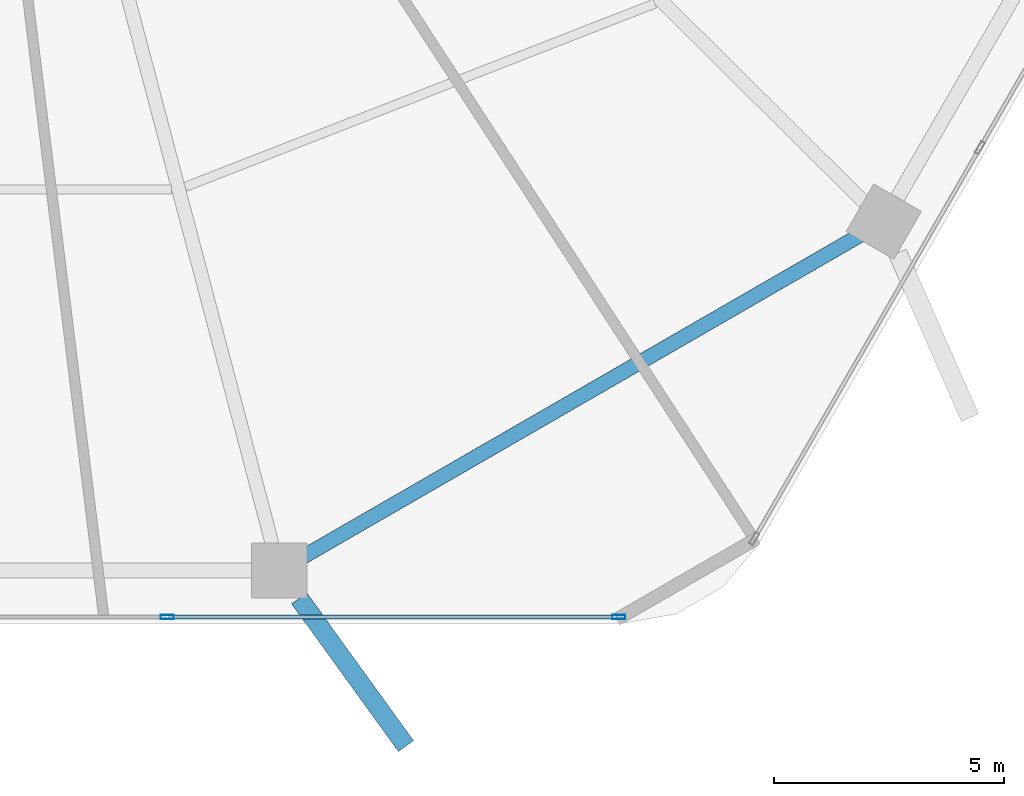
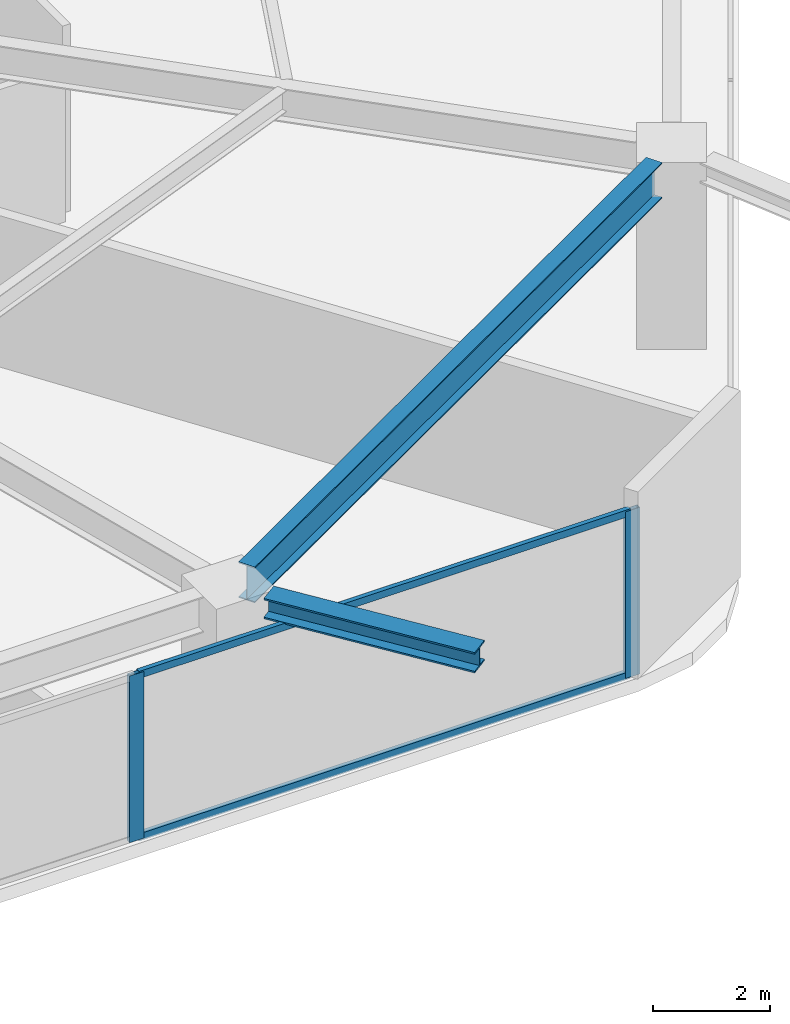
# One storey, part 7 of 25: 4 members, 2 beams, 1 element without a shape of its own.
"""IFC4 building model written with IfcOpenShell, lengths in metres."""

from ifc_helpers import new_model, si_unit, direction, frame, origin, origin_2d, place, context, subcontext, project, spatial, hollow_rectangle, i_section, extrude, material, material_profile, profile_set, type_object, element, aggregate, save


model = new_model("IFC4")

# Units and contexts
model_context = context("Model", 3, precision=1e-05, world=origin(), true_north=direction((0.0, 1.0)))
body_context = subcontext(model_context, "Body", "Model", "MODEL_VIEW")
ifc_project = project(units=[si_unit("LENGTHUNIT", "METRE"), si_unit("AREAUNIT", "SQUARE_METRE"), si_unit("VOLUMEUNIT", "CUBIC_METRE"), si_unit("PLANEANGLEUNIT", "RADIAN"), si_unit("MASSUNIT", "GRAM", prefix="KILO")], contexts=[model_context])

# Site, building, storey
site_placement = place(None, origin())
site = spatial("IfcSite", under=ifc_project, at=site_placement, CompositionType="ELEMENT")
building_placement = place(site_placement, origin())
building = spatial("IfcBuilding", under=site, at=building_placement, Name="Zuhravey Tower", CompositionType="ELEMENT")
storey_placement = place(building_placement, frame((0.0, 0.0, 20.39990234375)))
storey = spatial("IfcBuildingStorey", under=building, at=storey_placement, Name="L05", CompositionType="ELEMENT", Elevation=20.39990234375)

# Curtain wall, members
ifc_material_1 = material(Name="Thermally broken anodised aluminium", Category="aluminium")
curtain_wall_type = type_object("IfcCurtainWallType", Name="School Low-E Unitised Curtain Wall CW1", PredefinedType="NOTDEFINED", material=ifc_material_1)
curtain_wall_placement = place(storey_placement, origin())
curtain_wall = element("IfcCurtainWall", 1, at=curtain_wall_placement, inside=storey, type_object=curtain_wall_type, Name="L05 CW1 CW-L05-F5-1", PredefinedType="NOTDEFINED")
ifc_material_2 = material(Name="Anodised aluminium", Category="aluminium")
ifc_material_profile_1 = material_profile(ifc_material_2, hollow_rectangle(XDim=0.090087890625, YDim=0.284912109375, WallThickness=0.0048828125, at=origin_2d()), Name="ALU-RHS-90x285x5")
ifc_profile_set_1 = profile_set([ifc_material_profile_1], Name="Anodised aluminium")
member_type_1 = type_object("IfcMemberType", Name="Curtain-Wall Mullion 90x180", PredefinedType="MULLION", material=ifc_profile_set_1)
member_1_placement = place(storey_placement, frame((50.75439453125, 3.04150390625, 0.0), z_axis=(0.0, 0.0, 1.0), x_axis=(0.0, -1.0, 0.0)))
member_1 = element("IfcMember", 2, at=member_1_placement, type_object=member_type_1, Name="CW1 mullion 1", PredefinedType="MULLION", context=body_context, shape_type="SweptSolid", body=[
    extrude(hollow_rectangle(XDim=0.090087890625, YDim=0.284912109375, WallThickness=0.0048828125, at=origin_2d()), origin(), (0.0, 0.0, 1.0), 3.4921875),
])
member_2_placement = place(storey_placement, frame((40.93310546875, 3.04150390625, 0.0), z_axis=(0.0, 0.0, 1.0), x_axis=(0.0, -1.0, 0.0)))
member_2 = element("IfcMember", 3, at=member_2_placement, type_object=member_type_1, Name="CW1 mullion 2", PredefinedType="MULLION", context=body_context, shape_type="SweptSolid", body=[
    extrude(hollow_rectangle(XDim=0.090087890625, YDim=0.284912109375, WallThickness=0.0048828125, at=origin_2d()), origin(), (0.0, 0.0, 1.0), 3.4921875),
])
ifc_material_profile_2 = material_profile(ifc_material_2, hollow_rectangle(XDim=0.090087890625, YDim=0.14990234375, WallThickness=0.0048828125, at=origin_2d()), Name="ALU-RHS-90x150x5")
ifc_profile_set_2 = profile_set([ifc_material_profile_2], Name="Anodised aluminium")
member_type_2 = type_object("IfcMemberType", Name="Curtain-Wall Transom 90x150", PredefinedType="USERDEFINED", material=ifc_profile_set_2)
member_3_placement = place(storey_placement, frame((50.70947265625, 3.04150390625, 0.045166015625), z_axis=(-1.0, 0.0, 0.0), x_axis=(0.0, -1.0, 0.0)))
member_3 = element("IfcMember", 4, at=member_3_placement, type_object=member_type_2, Name="CW1 transom 1.1", ObjectType="TRANSOM", PredefinedType="USERDEFINED", context=body_context, shape_type="SweptSolid", body=[
    extrude(hollow_rectangle(XDim=0.090087890625, YDim=0.14990234375, WallThickness=0.0048828125, at=origin_2d()), origin(), (0.0, 0.0, 1.0), 9.731201171875),
])
member_4_placement = place(storey_placement, frame((50.70947265625, 3.04150390625, 3.447021484375), z_axis=(-1.0, 0.0, 0.0), x_axis=(0.0, -1.0, 0.0)))
member_4 = element("IfcMember", 5, at=member_4_placement, type_object=member_type_2, Name="CW1 transom 1.2", ObjectType="TRANSOM", PredefinedType="USERDEFINED", context=body_context, shape_type="SweptSolid", body=[
    extrude(hollow_rectangle(XDim=0.090087890625, YDim=0.14990234375, WallThickness=0.0048828125, at=origin_2d()), origin(), (0.0, 0.0, 1.0), 9.731201171875),
])
aggregate(curtain_wall, [member_1, member_2, member_3, member_4])

# Beams
ifc_material_3 = material(Name="Steel SM460", Category="steel")
ifc_material_profile_3 = material_profile(ifc_material_3, i_section(OverallWidth=0.406982421875, OverallDepth=0.427978515625, WebThickness=0.02001953125, FlangeThickness=0.034912109375, at=origin_2d()), Name="H-428x407x20x35")
ifc_profile_set_3 = profile_set([ifc_material_profile_3], Name="Steel SM460")
beam_type_1 = type_object("IfcBeamType", Name="Exoskeleton Node Tie Beam H428x407", PredefinedType="BEAM", material=ifc_profile_set_3)
beam_1_placement = place(storey_placement, frame((43.8056640625, 3.4482421875, 3.7060546875), z_axis=(0.585591698188, -0.810606170105, 0.0), x_axis=(0.810606170105, 0.585591698188, 0.0)))
element("IfcBeam", 6, at=beam_1_placement, inside=storey, type_object=beam_type_1, Name="L05 Exoskeleton Node Tie NT1-10", PredefinedType="BEAM", context=body_context, shape_type="SweptSolid", body=[
    extrude(i_section(OverallWidth=0.406982421875, OverallDepth=0.427978515625, WebThickness=0.02001953125, FlangeThickness=0.034912109375, at=origin_2d()), origin(), (0.0, 0.0, 1.0), 3.965576171875),
])
ifc_material_4 = material(Name="Steel SM355", Category="steel")
ifc_material_profile_4 = material_profile(ifc_material_4, i_section(OverallWidth=0.320068359375, OverallDepth=0.75, WebThickness=0.013916015625, FlangeThickness=0.02490234375, at=origin_2d()), Name="H-750x320x14x25")
ifc_profile_set_4 = profile_set([ifc_material_profile_4], Name="Steel SM355")
beam_type_2 = type_object("IfcBeamType", Name="Perimeter Ring Beam H750x320", PredefinedType="BEAM", material=ifc_profile_set_4)
beam_2_placement = place(storey_placement, frame((43.89208984375, 4.35302734375, 3.545166015625), z_axis=(0.866029969761, 0.499992091414, 0.0), x_axis=(-0.499992091414, 0.866029969761, 0.0)))
element("IfcBeam", 7, at=beam_2_placement, inside=storey, type_object=beam_type_2, Name="L05 PB1 BM-L05-PB-10", PredefinedType="BEAM", context=body_context, shape_type="SweptSolid", body=[
    extrude(i_section(OverallWidth=0.320068359375, OverallDepth=0.75, WebThickness=0.013916015625, FlangeThickness=0.02490234375, at=origin_2d()), origin(), (0.0, 0.0, 1.0), 13.977294921875),
])

save(model, "model.ifc")
